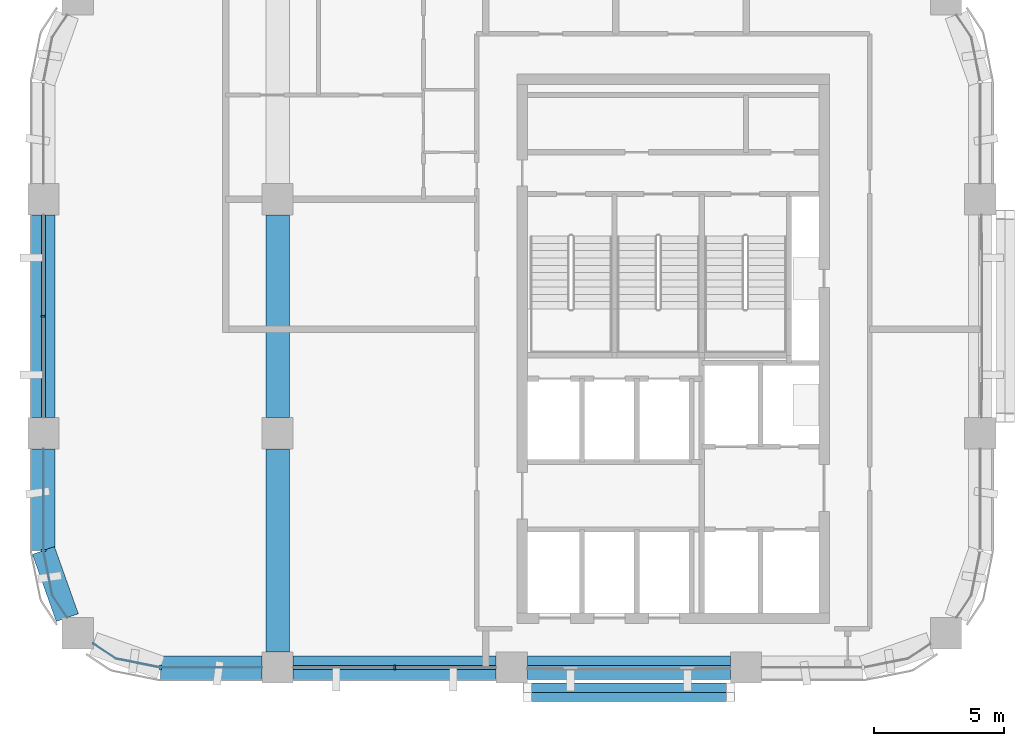
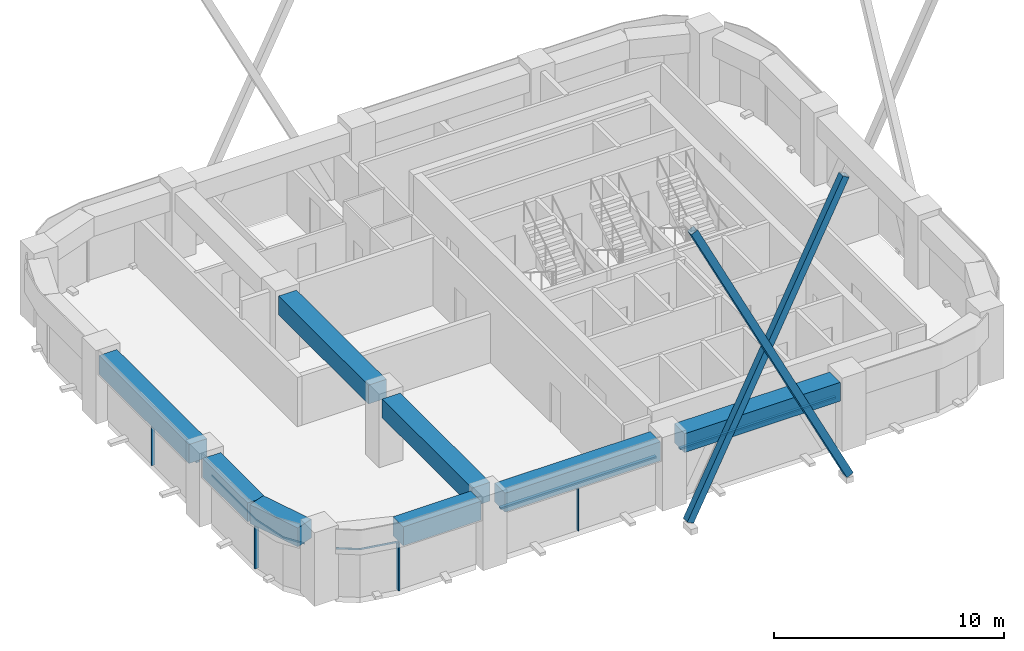
# One storey, part 2 of 10: 11 members, 8 beams, 5 elements without a shape of their own.
"""IFC4 building model written with IfcOpenShell, lengths in metres."""

from ifc_helpers import new_model, si_unit, direction, frame, origin, origin_2d, place, context, subcontext, project, spatial, polyline, rectangle, hollow_rectangle, outline, extrude, material, material_profile, profile_set, type_object, element, aggregate, save


model = new_model("IFC4")

# Units and contexts
model_context = context("Model", 3, precision=1e-05, world=origin(), true_north=direction((0.0, 1.0)))
body_context = subcontext(model_context, "Body", "Model", "MODEL_VIEW")
ifc_project = project(units=[si_unit("LENGTHUNIT", "METRE"), si_unit("AREAUNIT", "SQUARE_METRE"), si_unit("VOLUMEUNIT", "CUBIC_METRE"), si_unit("PLANEANGLEUNIT", "RADIAN"), si_unit("MASSUNIT", "GRAM", prefix="KILO")], contexts=[model_context])

# Site, building, storey
site_placement = place(None, origin())
site = spatial("IfcSite", under=ifc_project, at=site_placement, CompositionType="ELEMENT")
building_placement = place(site_placement, origin())
building = spatial("IfcBuilding", under=site, at=building_placement, Name="Tessera Arch", CompositionType="ELEMENT")
storey_placement = place(building_placement, frame((0.0, 0.0, 265.699951171875)))
storey = spatial("IfcBuildingStorey", under=building, at=storey_placement, Name="L64", CompositionType="ELEMENT", Elevation=265.699951171875)

# Members
ifc_material_1 = material(Name="Steel A500 Gr C", Category="steel")
ifc_material_profile_1 = material_profile(ifc_material_1, hollow_rectangle(XDim=0.355712890625, YDim=0.355712890625, WallThickness=0.01171875, at=origin_2d()), Name="HSS14x14x1/2")
ifc_profile_set_1 = profile_set([ifc_material_profile_1], Name="Steel A500 Gr C")
member_type_1 = type_object("IfcMemberType", Name="Brace HSS14x14x1/2 Steel A500 Gr C", PredefinedType="BRACE", material=ifc_profile_set_1)
for number, where, z_axis, x_axis, name in (
    (1, (36.60009765625, 26.22216796875, -0.800048828125), (0.447202397208, 0.0, 0.894432790058), (0.0, 1.0, 0.0), "Brace S27.18-2 A L64-L67"),
    (2, (44.39990234375, 25.86669921875, -0.800048828125), (-0.447202397208, 0.0, 0.894432790058), (0.0, -1.0, 0.0), "Brace S27.18-2 B L64-L67"),
):
    element("IfcMember", number, at=place(storey_placement, frame(where, z_axis=z_axis, x_axis=x_axis)), inside=storey, type_object=member_type_1, Name=name, PredefinedType="BRACE", context=body_context, shape_type="SweptSolid", body=[
        extrude(hollow_rectangle(XDim=0.355712890625, YDim=0.355712890625, WallThickness=0.01171875, at=origin_2d()), origin(), (0.0, 0.0, 1.0), 17.44140625),
    ])

# Curtain wall, member
ifc_material_2 = material(Name="CW1 curtain wall")
curtain_wall_type_1 = type_object("IfcCurtainWallType", Name="CW1 curtain wall", PredefinedType="NOTDEFINED", material=ifc_material_2)
curtain_wall_1_placement = place(storey_placement, origin())
curtain_wall_1 = element("IfcCurtainWall", 3, at=curtain_wall_1_placement, inside=storey, type_object=curtain_wall_type_1, Name="CW1 curtain wall W18.27/1 L64", PredefinedType="NOTDEFINED")
ifc_material_3 = material(Name="Anodised aluminium pale metal", Category="aluminium")
ifc_material_profile_2 = material_profile(ifc_material_3, rectangle(XDim=0.159912109375, YDim=0.06005859375, at=origin_2d()), Name="AL 60x160")
ifc_profile_set_2 = profile_set([ifc_material_profile_2], Name="Anodised aluminium pale metal")
member_type_2 = type_object("IfcMemberType", Name="CW1 mullion", PredefinedType="MULLION", material=ifc_profile_set_2)
member_1_placement = place(storey_placement, frame((18.0, 40.5, 0.0), z_axis=(0.0, 0.0, 1.0), x_axis=(1.0, 0.0, 0.0)))
member_1 = element("IfcMember", 4, at=member_1_placement, type_object=member_type_2, Name="CW1 mullion W18.27/1 1", PredefinedType="MULLION", context=body_context, shape_type="SweptSolid", body=[
    extrude(rectangle(XDim=0.159912109375, YDim=0.06005859375, at=origin_2d()), origin(), (0.0, 0.0, 1.0), 2.5),
])

curtain_wall_2_placement = place(storey_placement, origin())
curtain_wall_2 = element("IfcCurtainWall", 5, at=curtain_wall_2_placement, inside=storey, type_object=curtain_wall_type_1, Name="CW1 curtain wall S27.18/1 L64", PredefinedType="NOTDEFINED")
member_2_placement = place(storey_placement, frame((31.5, 27.0, 0.0), z_axis=(0.0, 0.0, 1.0), x_axis=(0.0, 1.0, 0.0)))
member_2 = element("IfcMember", 6, at=member_2_placement, type_object=member_type_2, Name="CW1 mullion S27.18/1 1", PredefinedType="MULLION", context=body_context, shape_type="SweptSolid", body=[
    extrude(rectangle(XDim=0.159912109375, YDim=0.06005859375, at=origin_2d()), origin(), (0.0, 0.0, 1.0), 2.5),
])

# Member
ifc_material_4 = material(Name="Anodised aluminium pale metal", Category="aluminium")
ifc_material_profile_3 = material_profile(ifc_material_4, rectangle(XDim=0.159912109375, YDim=0.10009765625, at=origin_2d()), Name="AL 160x100")
ifc_profile_set_3 = profile_set([ifc_material_profile_3], Name="Anodised aluminium pale metal")
member_type_3 = type_object("IfcMemberType", Name="CW1 transom", PredefinedType="USERDEFINED", material=ifc_profile_set_3)
member_3_placement = place(storey_placement, frame((18.0, 44.39990234375, 2.550048828125), z_axis=(0.0, -1.0, 0.0), x_axis=(1.0, 0.0, 0.0)))
member_3 = element("IfcMember", 7, at=member_3_placement, type_object=member_type_3, Name="CW1 transom W18.27/1 1.1", ObjectType="TRANSOM", PredefinedType="USERDEFINED", context=body_context, shape_type="SweptSolid", body=[
    extrude(rectangle(XDim=0.159912109375, YDim=0.10009765625, at=origin_2d()), origin(), (0.0, 0.0, 1.0), 7.7998046875),
])

aggregate(curtain_wall_1, [member_1, member_3])

member_4_placement = place(storey_placement, frame((27.60009765625, 27.0, 2.550048828125), z_axis=(1.0, 0.0, 0.0), x_axis=(0.0, 1.0, 0.0)))
member_4 = element("IfcMember", 8, at=member_4_placement, type_object=member_type_3, Name="CW1 transom S27.18/1 1.1", ObjectType="TRANSOM", PredefinedType="USERDEFINED", context=body_context, shape_type="SweptSolid", body=[
    extrude(rectangle(XDim=0.159912109375, YDim=0.10009765625, at=origin_2d()), origin(), (0.0, 0.0, 1.0), 7.7998046875),
])

aggregate(curtain_wall_2, [member_2, member_4])

# Curtain wall, member
ifc_material_5 = material(Name="CW2 curtain wall")
curtain_wall_type_2 = type_object("IfcCurtainWallType", Name="CW2 curtain wall", PredefinedType="NOTDEFINED", material=ifc_material_5)
curtain_wall_3_placement = place(storey_placement, origin())
curtain_wall_3 = element("IfcCurtainWall", 9, at=curtain_wall_3_placement, inside=storey, type_object=curtain_wall_type_2, Name="CW2 curtain wall W18.27/2 L64", PredefinedType="NOTDEFINED")
ifc_material_6 = material(Name="Anodised aluminium pale metal", Category="aluminium")
ifc_material_profile_4 = material_profile(ifc_material_6, rectangle(XDim=0.199951171875, YDim=0.080078125, at=origin_2d()), Name="AL 80x200")
ifc_profile_set_4 = profile_set([ifc_material_profile_4], Name="Anodised aluminium pale metal")
member_type_4 = type_object("IfcMemberType", Name="CW2 mullion", PredefinedType="MULLION", material=ifc_profile_set_4)
member_5_placement = place(storey_placement, frame((18.0, 31.5, 0.0), z_axis=(0.0, 0.0, 1.0), x_axis=(1.0, 0.0, 0.0)))
member_5 = element("IfcMember", 10, at=member_5_placement, type_object=member_type_4, Name="CW2 mullion W18.27/2 1", PredefinedType="MULLION", context=body_context, shape_type="SweptSolid", body=[
    extrude(rectangle(XDim=0.199951171875, YDim=0.080078125, at=origin_2d()), origin(), (0.0, 0.0, 1.0), 2.5),
])

curtain_wall_4_placement = place(storey_placement, origin())
curtain_wall_4 = element("IfcCurtainWall", 11, at=curtain_wall_4_placement, inside=storey, type_object=curtain_wall_type_2, Name="CW2 curtain wall S27.18/0 L64", PredefinedType="NOTDEFINED")
member_6_placement = place(storey_placement, frame((22.5, 27.0, 0.0), z_axis=(0.0, 0.0, 1.0), x_axis=(0.0, 1.0, 0.0)))
member_6 = element("IfcMember", 12, at=member_6_placement, type_object=member_type_4, Name="CW2 mullion S27.18/0 1", PredefinedType="MULLION", context=body_context, shape_type="SweptSolid", body=[
    extrude(rectangle(XDim=0.199951171875, YDim=0.080078125, at=origin_2d()), origin(), (0.0, 0.0, 1.0), 2.5),
])

# Member
ifc_material_7 = material(Name="Anodised aluminium pale metal", Category="aluminium")
ifc_material_profile_5 = material_profile(ifc_material_7, rectangle(XDim=0.199951171875, YDim=0.10009765625, at=origin_2d()), Name="AL 200x100")
ifc_profile_set_5 = profile_set([ifc_material_profile_5], Name="Anodised aluminium pale metal")
member_type_5 = type_object("IfcMemberType", Name="CW2 transom", PredefinedType="USERDEFINED", material=ifc_profile_set_5)
member_7_placement = place(storey_placement, frame((0.0, 0.0, 2.5)))
member_7 = element("IfcMember", 13, at=member_7_placement, type_object=member_type_5, Name="CW2 transom W18.27/2 1", ObjectType="TRANSOM", PredefinedType="USERDEFINED", context=body_context, shape_type="SweptSolid", body=[
    extrude(outline(polyline([(18.010009765625, 31.5009765625), (18.010009765625, 35.39990234375), (17.989990234375, 35.39990234375), (17.989990234375, 31.4990234375), (18.3330078125, 29.77392578125), (18.90869140625, 28.912353515625), (18.92529296875, 28.923583984375), (18.351806640625, 29.78173828125), (18.010009765625, 31.5009765625)])), origin(), (0.0, 0.0, 1.0), 0.10009765625),
])

aggregate(curtain_wall_3, [member_5, member_7])

member_8_placement = place(storey_placement, frame((0.0, 0.0, 2.5)))
member_8 = element("IfcMember", 14, at=member_8_placement, type_object=member_type_5, Name="CW2 transom S27.18/0 1", ObjectType="TRANSOM", PredefinedType="USERDEFINED", context=body_context, shape_type="SweptSolid", body=[
    extrude(outline(polyline([(20.78173828125, 27.351806640625), (19.923583984375, 27.92529296875), (19.912353515625, 27.90869140625), (20.77392578125, 27.3330078125), (22.4990234375, 26.989990234375), (26.39990234375, 26.989990234375), (26.39990234375, 27.010009765625), (22.5009765625, 27.010009765625), (20.78173828125, 27.351806640625)])), origin(), (0.0, 0.0, 1.0), 0.10009765625),
])

aggregate(curtain_wall_4, [member_6, member_8])

# Curtain wall, member
ifc_material_8 = material(Name="CW3 curtain wall")
curtain_wall_type_3 = type_object("IfcCurtainWallType", Name="CW3 curtain wall", PredefinedType="NOTDEFINED", material=ifc_material_8)
curtain_wall_5_placement = place(storey_placement, origin())
curtain_wall_5 = element("IfcCurtainWall", 15, at=curtain_wall_5_placement, inside=storey, type_object=curtain_wall_type_3, Name="CW3 curtain wall S27.18/2 L64", PredefinedType="NOTDEFINED")
ifc_material_9 = material(Name="Anodised aluminium pale metal", Category="aluminium")
ifc_material_profile_6 = material_profile(ifc_material_9, rectangle(XDim=0.139892578125, YDim=0.10009765625, at=origin_2d()), Name="AL 140x100")
ifc_profile_set_6 = profile_set([ifc_material_profile_6], Name="Anodised aluminium pale metal")
member_type_6 = type_object("IfcMemberType", Name="CW3 transom", PredefinedType="USERDEFINED", material=ifc_profile_set_6)
member_9_placement = place(storey_placement, frame((36.60009765625, 27.0, 2.550048828125), z_axis=(1.0, 0.0, 0.0), x_axis=(0.0, 1.0, 0.0)))
member_9 = element("IfcMember", 16, at=member_9_placement, type_object=member_type_6, Name="CW3 transom S27.18/2 1.1", ObjectType="TRANSOM", PredefinedType="USERDEFINED", context=body_context, shape_type="SweptSolid", body=[
    extrude(rectangle(XDim=0.139892578125, YDim=0.10009765625, at=origin_2d()), origin(), (0.0, 0.0, 1.0), 7.7998046875),
])
aggregate(curtain_wall_5, [member_9])

# Beams
ifc_material_10 = material(Name="Concrete C60/75", Category="concrete")
ifc_material_profile_7 = material_profile(ifc_material_10, rectangle(XDim=0.89990234375, YDim=1.0, at=origin_2d()), Name="RC spandrel beam 900 x 1000 Concrete C60/75")
ifc_profile_set_7 = profile_set([ifc_material_profile_7], Name="Concrete C60/75")
beam_type = type_object("IfcBeamType", Name="RC spandrel beam 900 x 1000 Concrete C60/75", PredefinedType="BEAM", material=ifc_profile_set_7)
beam_1_placement = place(storey_placement, frame((18.0, 44.39990234375, 3.10009765625), z_axis=(0.0, -1.0, 0.0), x_axis=(1.0, 0.0, 0.0)))
element("IfcBeam", 17, at=beam_1_placement, inside=storey, type_object=beam_type, Name="Spandrel beam L64 W18.27/1", PredefinedType="BEAM", context=body_context, shape_type="SweptSolid", body=[
    extrude(rectangle(XDim=0.89990234375, YDim=1.0, at=origin_2d()), origin(), (0.0, 0.0, 1.0), 7.7998046875),
])
beam_2_placement = place(storey_placement, frame((18.0, 35.39990234375, 3.10009765625), z_axis=(0.0, -1.0, 0.0), x_axis=(1.0, 0.0, 0.0)))
element("IfcBeam", 18, at=beam_2_placement, inside=storey, type_object=beam_type, Name="Spandrel beam L64 W18.27/2.1", PredefinedType="BEAM", context=body_context, shape_type="SweptSolid", body=[
    extrude(rectangle(XDim=0.89990234375, YDim=1.0, at=origin_2d()), origin(), (0.0, 0.0, 1.0), 3.89990234375),
])
beam_3_placement = place(storey_placement, frame((18.0, 31.5, 3.10009765625), z_axis=(0.334665114373, -0.942337127159, 0.0), x_axis=(0.942337127159, 0.334665114373, 0.0)))
element("IfcBeam", 19, at=beam_3_placement, inside=storey, type_object=beam_type, Name="Spandrel beam L64 W18.27/2.2", PredefinedType="BEAM", context=body_context, shape_type="SweptSolid", body=[
    extrude(rectangle(XDim=0.89990234375, YDim=1.0, at=origin_2d()), origin(), (0.0, 0.0, 1.0), 2.739990234375),
])
beam_4_placement = place(storey_placement, frame((22.5, 27.0, 3.10009765625), z_axis=(1.0, 0.0, 0.0), x_axis=(0.0, 1.0, 0.0)))
element("IfcBeam", 20, at=beam_4_placement, inside=storey, type_object=beam_type, Name="Spandrel beam L64 S27.18/0.2", PredefinedType="BEAM", context=body_context, shape_type="SweptSolid", body=[
    extrude(rectangle(XDim=0.89990234375, YDim=1.0, at=origin_2d()), origin(), (0.0, 0.0, 1.0), 3.89990234375),
])
for number, where, z_axis, x_axis, name in (
    (21, (27.60009765625, 27.0, 3.10009765625), (1.0, 0.0, 0.0), (0.0, 1.0, 0.0), "Spandrel beam L64 S27.18/1"),
    (22, (36.60009765625, 27.0, 3.10009765625), (1.0, 0.0, 0.0), (0.0, 1.0, 0.0), "Spandrel beam L64 S27.18/2"),
    (23, (27.0, 27.60009765625, 3.10009765625), (0.0, 1.0, 0.0), (-1.0, 0.0, 0.0), "Interface beam L64 I0C4D-C4E"),
    (24, (27.0, 36.60009765625, 3.10009765625), (0.0, 1.0, 0.0), (-1.0, 0.0, 0.0), "Interface beam L64 I0C4E-C4F"),
):
    element("IfcBeam", number, at=place(storey_placement, frame(where, z_axis=z_axis, x_axis=x_axis)), inside=storey, type_object=beam_type, Name=name, PredefinedType="BEAM", context=body_context, shape_type="SweptSolid", body=[
        extrude(rectangle(XDim=0.89990234375, YDim=1.0, at=origin_2d()), origin(), (0.0, 0.0, 1.0), 7.7998046875),
    ])

save(model, "model.ifc")
